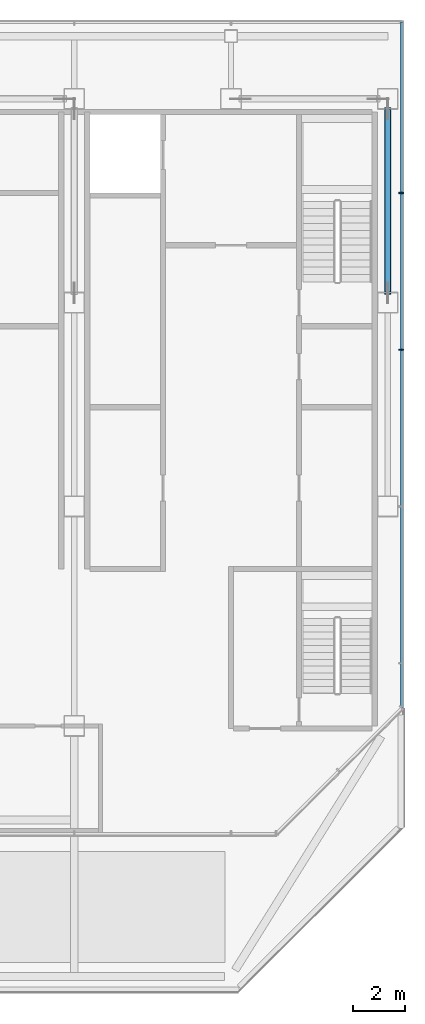
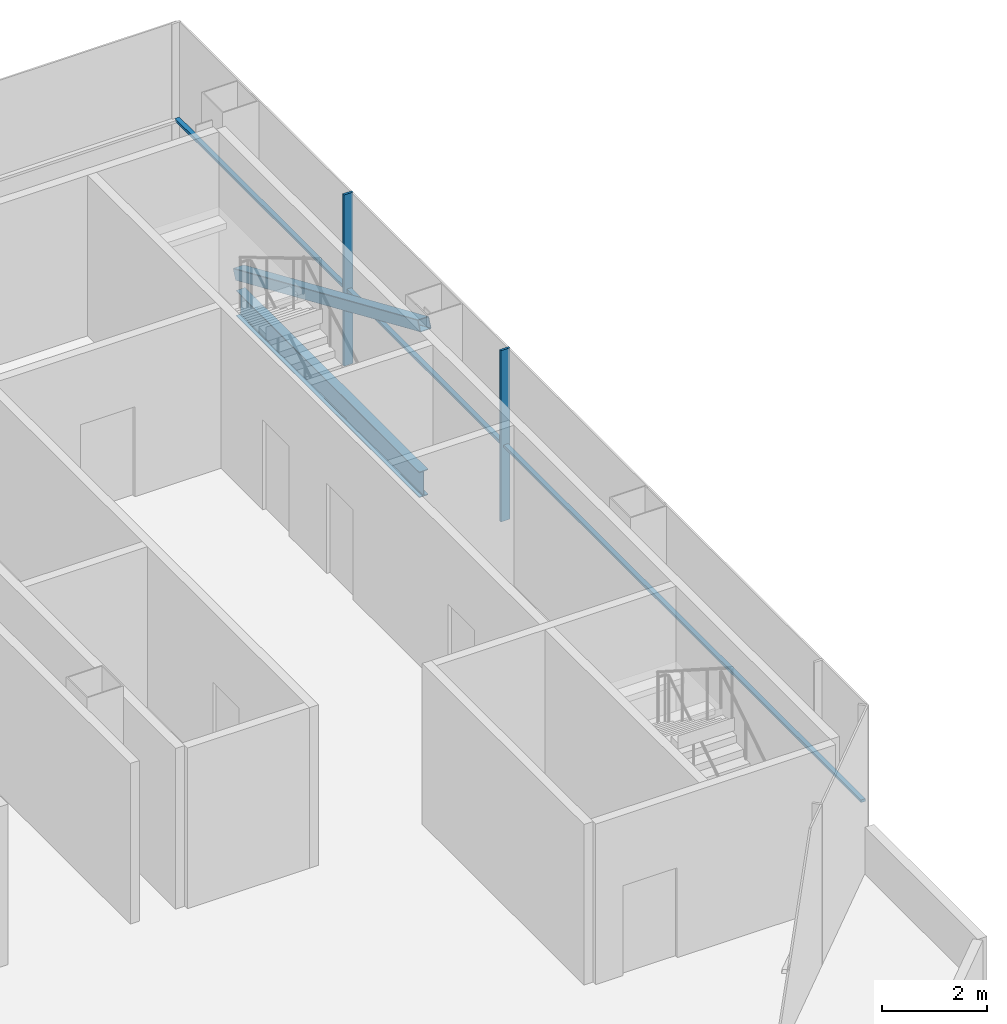
# One storey, part 9 of 18: 4 members, 1 beam, 1 element without a shape of its own.
"""IFC4 building model written with IfcOpenShell, lengths in metres."""

from ifc_helpers import new_model, si_unit, direction, frame, origin, origin_2d, place, context, subcontext, project, spatial, rectangle, hollow_rectangle, i_section, extrude, material, material_profile, profile_set, type_object, element, aggregate, save


model = new_model("IFC4")

# Units and contexts
model_context = context("Model", 3, precision=1e-05, world=origin(), true_north=direction((0.0, 1.0)))
body_context = subcontext(model_context, "Body", "Model", "MODEL_VIEW")
ifc_project = project(units=[si_unit("LENGTHUNIT", "METRE"), si_unit("AREAUNIT", "SQUARE_METRE"), si_unit("VOLUMEUNIT", "CUBIC_METRE"), si_unit("PLANEANGLEUNIT", "RADIAN"), si_unit("MASSUNIT", "GRAM", prefix="KILO")], contexts=[model_context])

# Site, building, storey
site_placement = place(None, origin())
site = spatial("IfcSite", under=ifc_project, at=site_placement, CompositionType="ELEMENT")
building_placement = place(site_placement, origin())
building = spatial("IfcBuilding", under=site, at=building_placement, Name="Sorahane Residences", CompositionType="ELEMENT")
storey_placement = place(building_placement, frame((0.0, 0.0, 345.800048828125)))
storey = spatial("IfcBuildingStorey", under=building, at=storey_placement, Name="L82", CompositionType="ELEMENT", Elevation=345.800048828125)

# Member
ifc_material_1 = material(Name="Steel Q355B", Category="steel")
ifc_material_profile_1 = material_profile(ifc_material_1, hollow_rectangle(XDim=0.25, YDim=0.25, WallThickness=0.011962890625, InnerFilletRadius=0.006103515625, OuterFilletRadius=0.01806640625, at=origin_2d()), Name="RHS 250x250x12")
ifc_profile_set_1 = profile_set([ifc_material_profile_1], Name="Steel Q355B")
member_type_1 = type_object("IfcMemberType", Name="Core brace RHS 250x250x12 Q355B", PredefinedType="BRACE", material=ifc_profile_set_1)
member_1_placement = place(storey_placement, frame((42.0, 45.22998046875, 0.11181640625), z_axis=(0.0, -0.916757291072, 0.399444701138), x_axis=(1.0, 0.0, 0.0)))
element("IfcMember", 1, at=member_1_placement, inside=storey, type_object=member_type_1, Name="Core brace L82 x42-3", PredefinedType="BRACE", context=body_context, shape_type="SweptSolid", body=[
    extrude(hollow_rectangle(XDim=0.25, YDim=0.25, WallThickness=0.011962890625, InnerFilletRadius=0.006103515625, OuterFilletRadius=0.01806640625, at=origin_2d()), origin(), (0.0, 0.0, 1.0), 7.701171875),
])

# Curtain wall, members
ifc_material_2 = material(Name="Dark low-e glass and black anodised aluminium", Category="aluminium")
curtain_wall_type = type_object("IfcCurtainWallType", Name="Curtain wall CW-6 Crown unitised wall", PredefinedType="NOTDEFINED", material=ifc_material_2)
curtain_wall_placement = place(storey_placement, origin())
curtain_wall = element("IfcCurtainWall", 2, at=curtain_wall_placement, inside=storey, type_object=curtain_wall_type, Name="CW-6 curtain wall L82 E1", PredefinedType="NOTDEFINED")
ifc_material_3 = material(Name="Black anodised aluminium", Category="aluminium")
ifc_material_profile_2 = material_profile(ifc_material_3, rectangle(XDim=0.199951171875, YDim=0.050048828125, at=origin_2d()), Name="Curtain wall mullion CW-6 black anodised aluminium 50x200")
ifc_profile_set_2 = profile_set([ifc_material_profile_2], Name="Black anodised aluminium")
member_type_2 = type_object("IfcMemberType", Name="Curtain wall mullion CW-6 black anodised aluminium 50x200", PredefinedType="MULLION", material=ifc_profile_set_2)
member_2_placement = place(storey_placement, frame((42.52001953125, 36.0, -0.25), z_axis=(0.0, 0.0, 1.0), x_axis=(1.0, 0.0, 0.0)))
member_2 = element("IfcMember", 3, at=member_2_placement, type_object=member_type_2, Name="CW-6 mullion L82 E1.4", PredefinedType="MULLION", context=body_context, shape_type="SweptSolid", body=[
    extrude(rectangle(XDim=0.199951171875, YDim=0.050048828125, at=origin_2d()), origin(), (0.0, 0.0, 1.0), 4.0),
])
member_3_placement = place(storey_placement, frame((42.52001953125, 42.0, -0.25), z_axis=(0.0, 0.0, 1.0), x_axis=(1.0, 0.0, 0.0)))
member_3 = element("IfcMember", 4, at=member_3_placement, type_object=member_type_2, Name="CW-6 mullion L82 E1.5", PredefinedType="MULLION", context=body_context, shape_type="SweptSolid", body=[
    extrude(rectangle(XDim=0.199951171875, YDim=0.050048828125, at=origin_2d()), origin(), (0.0, 0.0, 1.0), 4.0),
])
ifc_material_4 = material(Name="Black anodised aluminium", Category="aluminium")
ifc_material_profile_3 = material_profile(ifc_material_4, rectangle(XDim=0.10009765625, YDim=0.06005859375, at=origin_2d()), Name="Curtain wall transom CW-6 black anodised aluminium 60x100")
ifc_profile_set_3 = profile_set([ifc_material_profile_3], Name="Black anodised aluminium")
member_type_3 = type_object("IfcMemberType", Name="Curtain wall transom CW-6 black anodised aluminium 60x100", PredefinedType="USERDEFINED", material=ifc_profile_set_3)
member_4_placement = place(storey_placement, frame((42.530029296875, 22.301513671875, 1.5), z_axis=(0.0, 1.0, 0.0), x_axis=(-1.0, 0.0, 0.0)))
member_4 = element("IfcMember", 5, at=member_4_placement, type_object=member_type_3, Name="CW-6 transom L82 E1", ObjectType="TRANSOM", PredefinedType="USERDEFINED", context=body_context, shape_type="SweptSolid", body=[
    extrude(rectangle(XDim=0.10009765625, YDim=0.06005859375, at=origin_2d()), origin(), (0.0, 0.0, 1.0), 26.24853515625),
])
aggregate(curtain_wall, [member_2, member_3, member_4])

# Beam
ifc_material_5 = material(Name="Steel Q355B", Category="steel")
ifc_material_profile_4 = material_profile(ifc_material_5, i_section(OverallWidth=0.199951171875, OverallDepth=0.60009765625, WebThickness=0.010986328125, FlangeThickness=0.01708984375, FilletRadius=0.02392578125, at=origin_2d()), Name="HN 600x200x11x17")
ifc_profile_set_4 = profile_set([ifc_material_profile_4], Name="Steel Q355B")
beam_type = type_object("IfcBeamType", Name="Steel floor beam HN 600x200x11x17 Q355B", PredefinedType="BEAM", material=ifc_profile_set_4)
beam_placement = place(storey_placement, frame((42.0, 38.199951171875, -0.550048828125), z_axis=(0.0, 1.0, 0.0), x_axis=(-1.0, 0.0, 0.0)))
element("IfcBeam", 6, at=beam_placement, inside=storey, type_object=beam_type, Name="Beam L82 030", PredefinedType="BEAM", context=body_context, shape_type="SweptSolid", body=[
    extrude(i_section(OverallWidth=0.199951171875, OverallDepth=0.60009765625, WebThickness=0.010986328125, FlangeThickness=0.01708984375, FilletRadius=0.02392578125, at=origin_2d()), origin(), (0.0, 0.0, 1.0), 7.0),
])

save(model, "model.ifc")
